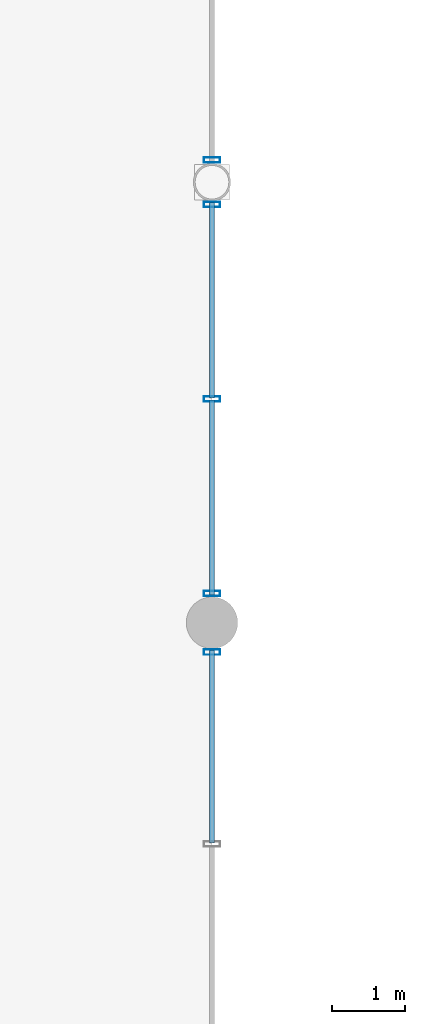
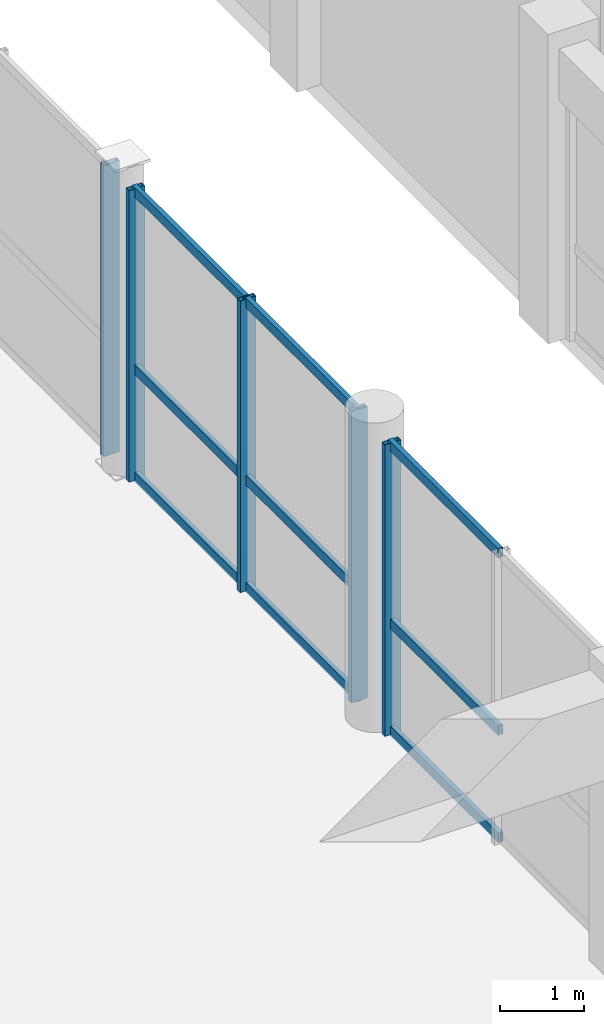
# One storey, part 60 of 116: 14 members, 3 elements without a shape of their own.
"""IFC4 building model written with IfcOpenShell, lengths in metres."""

from ifc_helpers import new_model, si_unit, direction, frame, origin, origin_2d, place, context, subcontext, project, spatial, hollow_rectangle, extrude, material, material_profile, profile_set, type_object, element, aggregate, save


model = new_model("IFC4")

# Units and contexts
model_context = context("Model", 3, precision=1e-05, world=origin(), true_north=direction((0.0, 1.0)))
body_context = subcontext(model_context, "Body", "Model", "MODEL_VIEW")
ifc_project = project(units=[si_unit("LENGTHUNIT", "METRE"), si_unit("AREAUNIT", "SQUARE_METRE"), si_unit("VOLUMEUNIT", "CUBIC_METRE"), si_unit("PLANEANGLEUNIT", "RADIAN"), si_unit("MASSUNIT", "GRAM", prefix="KILO"), si_unit("THERMODYNAMICTEMPERATUREUNIT", "KELVIN"), si_unit("POWERUNIT", "WATT")], contexts=[model_context])

# Site, building, storey
site_placement = place(None, origin())
site = spatial("IfcSite", under=ifc_project, at=site_placement, CompositionType="ELEMENT")
building_placement = place(site_placement, origin())
building = spatial("IfcBuilding", under=site, at=building_placement, Name="Phaisarnlok Congress Hotel", CompositionType="ELEMENT")
storey_placement = place(building_placement, frame((0.0, 0.0, 10.5)))
storey = spatial("IfcBuildingStorey", under=building, at=storey_placement, Name="L02", CompositionType="ELEMENT", Elevation=10.5)

# Curtain wall, member
ifc_material_1 = material(Name="Thermally Broken Unitised Aluminium & Low-E Glazing", Category="aluminium")
curtain_wall_type_1 = type_object("IfcCurtainWallType", Name="CW-UNIT-25", PredefinedType="NOTDEFINED", material=ifc_material_1)
curtain_wall_1_placement = place(storey_placement, origin())
curtain_wall_1 = element("IfcCurtainWall", 1, at=curtain_wall_1_placement, inside=storey, type_object=curtain_wall_type_1, Name="Unitised curtain wall CW-25 (L02)", PredefinedType="NOTDEFINED")
ifc_material_2 = material(Name="Anodised Aluminium Alloy 6063-T6", Category="aluminium")
ifc_material_profile_1 = material_profile(ifc_material_2, hollow_rectangle(XDim=0.074951171875, YDim=0.219970703125, WallThickness=0.0048828125, at=origin_2d()), Name="ALU-M 75x220x5")
ifc_profile_set_1 = profile_set([ifc_material_profile_1], Name="Anodised Aluminium Alloy 6063-T6")
member_type_1 = type_object("IfcMemberType", Name="CWM-220", PredefinedType="MULLION", material=ifc_profile_set_1)
member_1_placement = place(storey_placement, frame((156.0, 71.60009765625, 0.0), z_axis=(0.0, 0.0, 1.0), x_axis=(0.0, 1.0, 0.0)))
member_1 = element("IfcMember", 2, at=member_1_placement, type_object=member_type_1, Name="Curtain wall mullion CWM-02", PredefinedType="MULLION", context=body_context, shape_type="SweptSolid", body=[
    extrude(hollow_rectangle(XDim=0.074951171875, YDim=0.219970703125, WallThickness=0.0048828125, at=origin_2d()), origin(), (0.0, 0.0, 1.0), 4.239990234375),
])

# Curtain wall, members
curtain_wall_type_2 = type_object("IfcCurtainWallType", Name="CW-UNIT-26", PredefinedType="NOTDEFINED", material=ifc_material_1)
curtain_wall_2_placement = place(storey_placement, origin())
curtain_wall_2 = element("IfcCurtainWall", 3, at=curtain_wall_2_placement, inside=storey, type_object=curtain_wall_type_2, Name="Unitised curtain wall CW-26 (L02)", PredefinedType="NOTDEFINED")
member_2_placement = place(storey_placement, frame((156.0, 72.39990234375, 0.0), z_axis=(0.0, 0.0, 1.0), x_axis=(0.0, 1.0, 0.0)))
member_2 = element("IfcMember", 4, at=member_2_placement, type_object=member_type_1, Name="Curtain wall mullion CWM-02", PredefinedType="MULLION", context=body_context, shape_type="SweptSolid", body=[
    extrude(hollow_rectangle(XDim=0.074951171875, YDim=0.219970703125, WallThickness=0.0048828125, at=origin_2d()), origin(), (0.0, 0.0, 1.0), 4.239990234375),
])
member_3_placement = place(storey_placement, frame((156.0, 75.048095703125, 0.0), z_axis=(0.0, 0.0, 1.0), x_axis=(0.0, 1.0, 0.0)))
member_3 = element("IfcMember", 5, at=member_3_placement, type_object=member_type_1, Name="Curtain wall mullion CWM-02", PredefinedType="MULLION", context=body_context, shape_type="SweptSolid", body=[
    extrude(hollow_rectangle(XDim=0.074951171875, YDim=0.219970703125, WallThickness=0.0048828125, at=origin_2d()), origin(), (0.0, 0.0, 1.0), 4.239990234375),
])
member_4_placement = place(storey_placement, frame((156.0, 77.696044921875, 0.0), z_axis=(0.0, 0.0, 1.0), x_axis=(0.0, 1.0, 0.0)))
member_4 = element("IfcMember", 6, at=member_4_placement, type_object=member_type_1, Name="Curtain wall mullion CWM-02", PredefinedType="MULLION", context=body_context, shape_type="SweptSolid", body=[
    extrude(hollow_rectangle(XDim=0.074951171875, YDim=0.219970703125, WallThickness=0.0048828125, at=origin_2d()), origin(), (0.0, 0.0, 1.0), 4.239990234375),
])

# Curtain wall, member
curtain_wall_3_placement = place(storey_placement, origin())
curtain_wall_3 = element("IfcCurtainWall", 7, at=curtain_wall_3_placement, inside=storey, type_object=curtain_wall_type_2, Name="Unitised curtain wall CW-26 (L02)", PredefinedType="NOTDEFINED")
member_5_placement = place(storey_placement, frame((156.0, 78.303955078125, 0.0), z_axis=(0.0, 0.0, 1.0), x_axis=(0.0, 1.0, 0.0)))
member_5 = element("IfcMember", 8, at=member_5_placement, type_object=member_type_1, Name="Curtain wall mullion CWM-02", PredefinedType="MULLION", context=body_context, shape_type="SweptSolid", body=[
    extrude(hollow_rectangle(XDim=0.074951171875, YDim=0.219970703125, WallThickness=0.0048828125, at=origin_2d()), origin(), (0.0, 0.0, 1.0), 4.239990234375),
])
aggregate(curtain_wall_3, [member_5])

# Member
ifc_material_profile_2 = material_profile(ifc_material_2, hollow_rectangle(XDim=0.06494140625, YDim=0.139892578125, WallThickness=0.00390625, at=origin_2d()), Name="ALU-T 65x140x4")
ifc_profile_set_2 = profile_set([ifc_material_profile_2], Name="Anodised Aluminium Alloy 6063-T6")
member_type_2 = type_object("IfcMemberType", Name="CWT-150", PredefinedType="USERDEFINED", material=ifc_profile_set_2)
member_6_placement = place(storey_placement, frame((156.0, 69.00244140625, 0.050048828125), z_axis=(0.0, 1.0, 0.0), x_axis=(-1.0, 0.0, 0.0)))
member_6 = element("IfcMember", 9, at=member_6_placement, type_object=member_type_2, Name="Curtain wall transom CWT-01", ObjectType="TRANSOM", PredefinedType="USERDEFINED", context=body_context, shape_type="SweptSolid", body=[
    extrude(hollow_rectangle(XDim=0.06494140625, YDim=0.139892578125, WallThickness=0.00390625, at=origin_2d()), origin(), (0.0, 0.0, 1.0), 2.62255859375),
])

member_7_placement = place(storey_placement, frame((156.0, 69.00244140625, 1.611083984375), z_axis=(0.0, 1.0, 0.0), x_axis=(-1.0, 0.0, 0.0)))
member_7 = element("IfcMember", 10, at=member_7_placement, type_object=member_type_2, Name="Curtain wall transom CWT-01", ObjectType="TRANSOM", PredefinedType="USERDEFINED", context=body_context, shape_type="SweptSolid", body=[
    extrude(hollow_rectangle(XDim=0.06494140625, YDim=0.139892578125, WallThickness=0.00390625, at=origin_2d()), origin(), (0.0, 0.0, 1.0), 2.62255859375),
])

member_8_placement = place(storey_placement, frame((156.0, 69.00244140625, 4.18994140625), z_axis=(0.0, 1.0, 0.0), x_axis=(-1.0, 0.0, 0.0)))
member_8 = element("IfcMember", 11, at=member_8_placement, type_object=member_type_2, Name="Curtain wall transom CWT-01", ObjectType="TRANSOM", PredefinedType="USERDEFINED", context=body_context, shape_type="SweptSolid", body=[
    extrude(hollow_rectangle(XDim=0.06494140625, YDim=0.139892578125, WallThickness=0.00390625, at=origin_2d()), origin(), (0.0, 0.0, 1.0), 2.62255859375),
])

aggregate(curtain_wall_1, [member_1, member_6, member_7, member_8])

member_9_placement = place(storey_placement, frame((156.0, 72.375, 0.050048828125), z_axis=(0.0, 1.0, 0.0), x_axis=(-1.0, 0.0, 0.0)))
member_9 = element("IfcMember", 12, at=member_9_placement, type_object=member_type_2, Name="Curtain wall transom CWT-01", ObjectType="TRANSOM", PredefinedType="USERDEFINED", context=body_context, shape_type="SweptSolid", body=[
    extrude(hollow_rectangle(XDim=0.06494140625, YDim=0.139892578125, WallThickness=0.00390625, at=origin_2d()), origin(), (0.0, 0.0, 1.0), 2.657958984375),
])

member_10_placement = place(storey_placement, frame((156.0, 72.375, 1.611083984375), z_axis=(0.0, 1.0, 0.0), x_axis=(-1.0, 0.0, 0.0)))
member_10 = element("IfcMember", 13, at=member_10_placement, type_object=member_type_2, Name="Curtain wall transom CWT-01", ObjectType="TRANSOM", PredefinedType="USERDEFINED", context=body_context, shape_type="SweptSolid", body=[
    extrude(hollow_rectangle(XDim=0.06494140625, YDim=0.139892578125, WallThickness=0.00390625, at=origin_2d()), origin(), (0.0, 0.0, 1.0), 2.657958984375),
])

member_11_placement = place(storey_placement, frame((156.0, 72.375, 4.18994140625), z_axis=(0.0, 1.0, 0.0), x_axis=(-1.0, 0.0, 0.0)))
member_11 = element("IfcMember", 14, at=member_11_placement, type_object=member_type_2, Name="Curtain wall transom CWT-01", ObjectType="TRANSOM", PredefinedType="USERDEFINED", context=body_context, shape_type="SweptSolid", body=[
    extrude(hollow_rectangle(XDim=0.06494140625, YDim=0.139892578125, WallThickness=0.00390625, at=origin_2d()), origin(), (0.0, 0.0, 1.0), 2.657958984375),
])

member_12_placement = place(storey_placement, frame((156.0, 75.06298828125, 0.050048828125), z_axis=(0.0, 1.0, 0.0), x_axis=(-1.0, 0.0, 0.0)))
member_12 = element("IfcMember", 15, at=member_12_placement, type_object=member_type_2, Name="Curtain wall transom CWT-01", ObjectType="TRANSOM", PredefinedType="USERDEFINED", context=body_context, shape_type="SweptSolid", body=[
    extrude(hollow_rectangle(XDim=0.06494140625, YDim=0.139892578125, WallThickness=0.00390625, at=origin_2d()), origin(), (0.0, 0.0, 1.0), 2.657958984375),
])

member_13_placement = place(storey_placement, frame((156.0, 75.06298828125, 1.611083984375), z_axis=(0.0, 1.0, 0.0), x_axis=(-1.0, 0.0, 0.0)))
member_13 = element("IfcMember", 16, at=member_13_placement, type_object=member_type_2, Name="Curtain wall transom CWT-01", ObjectType="TRANSOM", PredefinedType="USERDEFINED", context=body_context, shape_type="SweptSolid", body=[
    extrude(hollow_rectangle(XDim=0.06494140625, YDim=0.139892578125, WallThickness=0.00390625, at=origin_2d()), origin(), (0.0, 0.0, 1.0), 2.657958984375),
])

member_14_placement = place(storey_placement, frame((156.0, 75.06298828125, 4.18994140625), z_axis=(0.0, 1.0, 0.0), x_axis=(-1.0, 0.0, 0.0)))
member_14 = element("IfcMember", 17, at=member_14_placement, type_object=member_type_2, Name="Curtain wall transom CWT-01", ObjectType="TRANSOM", PredefinedType="USERDEFINED", context=body_context, shape_type="SweptSolid", body=[
    extrude(hollow_rectangle(XDim=0.06494140625, YDim=0.139892578125, WallThickness=0.00390625, at=origin_2d()), origin(), (0.0, 0.0, 1.0), 2.657958984375),
])

aggregate(curtain_wall_2, [member_2, member_3, member_4, member_9, member_10, member_11, member_12, member_13, member_14])

save(model, "model.ifc")
